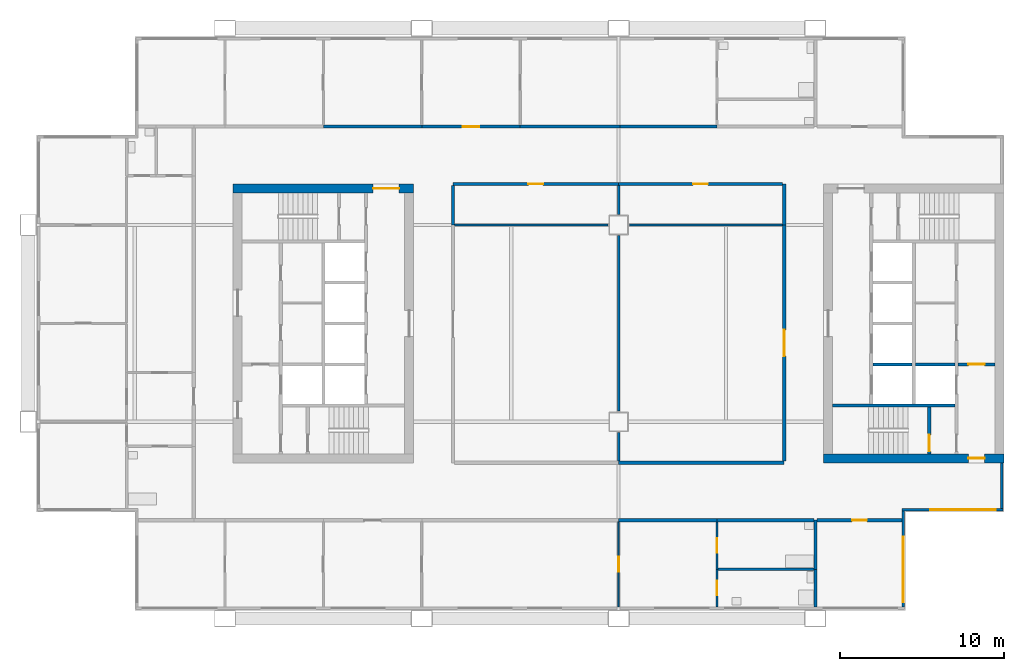
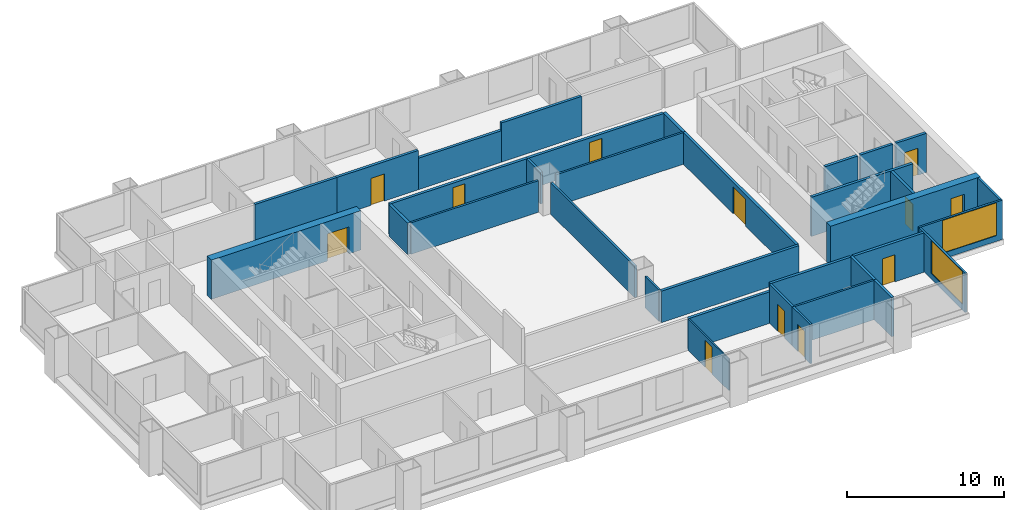
# One storey, part 4 of 8: 34 walls, 12 doors, 2 windows, 14 openings.
"""IFC4 building model written with IfcOpenShell, lengths in metres."""

from ifc_helpers import new_model, si_unit, direction, frame, frame_2d, origin, place, context, subcontext, project, spatial, rectangle, extrude, material, layer, layer_set, type_object, element, fill, save


model = new_model("IFC4")

# Units and contexts
model_context = context("Model", 3, precision=1e-05, world=origin(), true_north=direction((0.0, 1.0)))
body_context = subcontext(model_context, "Body", "Model", "MODEL_VIEW")
ifc_project = project(units=[si_unit("LENGTHUNIT", "METRE"), si_unit("AREAUNIT", "SQUARE_METRE"), si_unit("VOLUMEUNIT", "CUBIC_METRE"), si_unit("PLANEANGLEUNIT", "RADIAN"), si_unit("MASSUNIT", "GRAM", prefix="KILO")], contexts=[model_context])

# Site, building, storey
site_placement = place(None, origin())
site = spatial("IfcSite", under=ifc_project, at=site_placement, CompositionType="ELEMENT")
building_placement = place(site_placement, origin())
building = spatial("IfcBuilding", under=site, at=building_placement, Name="Kitamizu Gate Tower and Museum", CompositionType="ELEMENT")
storey_placement = place(building_placement, frame((0.0, 0.0, 172.050048828125)))
storey = spatial("IfcBuildingStorey", under=building, at=storey_placement, Name="L45", CompositionType="ELEMENT", Elevation=172.050048828125)

# Wall, opening, door
ifc_material_1 = material(Name="Concrete Fc42", Category="concrete")
ifc_layer_1 = layer(ifc_material_1, 0.550048828125)
ifc_layer_set_1 = layer_set([ifc_layer_1], Name="Concrete Fc42")
wall_type_1 = type_object("IfcWallType", Name="Core wall 550", PredefinedType="SHEAR", material=ifc_layer_set_1)
wall_1_placement = place(storey_placement, frame((12.5, 38.22509765625, 0.0), z_axis=(0.0, 0.0, 1.0), x_axis=(1.0, 0.0, 0.0)))
wall_1 = element("IfcWall", 1, at=wall_1_placement, inside=storey, type_object=wall_type_1, Name="Core wall WN", PredefinedType="SHEAR", context=body_context, shape_type="SweptSolid", body=[
    extrude(rectangle(XDim=11.0, YDim=0.550048828125, at=frame_2d((5.5, 0.0))), origin(), (0.0, 0.0, 1.0), 3.050048828125),
])
opening_1_placement = place(wall_1_placement, frame((8.52490234375, 0.0, 0.0)))
opening_1 = element("IfcOpeningElement", 2, at=opening_1_placement, cuts=wall_1, Name="Opening L45-037", PredefinedType="OPENING", context=body_context, shape_type="SweptSolid", body=[
    extrude(rectangle(XDim=1.60009765625, YDim=2.10009765625, at=frame_2d((0.800048828125, 1.050048828125))), frame((0.0, 0.28515625, 0.0), z_axis=(0.0, -1.0, 0.0), x_axis=(1.0, 0.0, 0.0)), (0.0, 0.0, 1.0), 0.570068359375),
])
ifc_material_2 = material(Name="Timber door set", Category="wood")
door_type_1 = type_object("IfcDoorType", Name="Entrance door 1600", OperationType="DOUBLE_DOOR_SINGLE_SWING", PredefinedType="DOOR", material=ifc_material_2)
door_1_placement = place(opening_1_placement, origin())
door_1 = element("IfcDoor", 3, at=door_1_placement, inside=storey, type_object=door_type_1, Name="Lobby door L45-037", OperationType="DOUBLE_DOOR_SINGLE_SWING", OverallHeight=2.10009765625, OverallWidth=1.60009765625, PredefinedType="DOOR", context=body_context, shape_type="SweptSolid", body=[
    extrude(rectangle(XDim=1.60009765625, YDim=2.10009765625, at=frame_2d((0.800048828125, 1.050048828125))), frame((0.0, 0.02490234375, 0.0), z_axis=(0.0, -1.0, 0.0), x_axis=(1.0, 0.0, 0.0)), (0.0, 0.0, 1.0), 0.050048828125),
])
fill(opening_1, door_1)

wall_2_placement = place(storey_placement, frame((59.5, 21.77490234375, 0.0), z_axis=(0.0, 0.0, 1.0), x_axis=(-1.0, 0.0, 0.0)))
wall_2 = element("IfcWall", 4, at=wall_2_placement, inside=storey, type_object=wall_type_1, Name="Core wall ES", PredefinedType="SHEAR", context=body_context, shape_type="SweptSolid", body=[
    extrude(rectangle(XDim=11.0, YDim=0.550048828125, at=frame_2d((5.5, 0.0))), origin(), (0.0, 0.0, 1.0), 3.050048828125),
])
opening_2_placement = place(wall_2_placement, frame((1.175048828125, 0.0, 0.0)))
opening_2 = element("IfcOpeningElement", 5, at=opening_2_placement, cuts=wall_2, Name="Opening L45-046", PredefinedType="OPENING", context=body_context, shape_type="SweptSolid", body=[
    extrude(rectangle(XDim=1.0, YDim=2.10009765625, at=frame_2d((0.5, 1.050048828125))), frame((0.0, 0.28515625, 0.0), z_axis=(0.0, -1.0, 0.0), x_axis=(1.0, 0.0, 0.0)), (0.0, 0.0, 1.0), 0.570068359375),
])
ifc_material_3 = material(Name="Hollow metal door set")
door_type_2 = type_object("IfcDoorType", Name="Fire door 1000", OperationType="NOTDEFINED", PredefinedType="DOOR", material=ifc_material_3)
door_2_placement = place(opening_2_placement, frame((1.0, 0.0, 0.0), x_axis=(-1.0, 0.0, 0.0)))
door_2 = element("IfcDoor", 6, at=door_2_placement, inside=storey, type_object=door_type_2, Name="Fire-fighting lobby door L45-046", OperationType="SINGLE_SWING_RIGHT", OverallHeight=2.10009765625, OverallWidth=1.0, PredefinedType="DOOR", context=body_context, shape_type="SweptSolid", body=[
    extrude(rectangle(XDim=1.0, YDim=2.10009765625, at=frame_2d((0.5, 1.050048828125))), frame((0.0, 0.02490234375, 0.0), z_axis=(0.0, -1.0, 0.0), x_axis=(1.0, 0.0, 0.0)), (0.0, 0.0, 1.0), 0.050048828125),
])
fill(opening_2, door_2)

ifc_material_4 = material(Name="Gypsum board on galvanised stud")
ifc_layer_2 = layer(ifc_material_4, 0.10009765625)
ifc_layer_set_2 = layer_set([ifc_layer_2], Name="Gypsum board on galvanised stud")
wall_type_2 = type_object("IfcWallType", Name="Partition 100 NOT RATED", PredefinedType="PARTITIONING", material=ifc_layer_set_2)
wall_3_placement = place(storey_placement, frame((36.0, 12.719970703125, 0.0), z_axis=(0.0, 0.0, 1.0), x_axis=(0.0, 1.0, 0.0)))
wall_3 = element("IfcWall", 7, at=wall_3_placement, inside=storey, type_object=wall_type_2, Name="Partition L45-008", PredefinedType="PARTITIONING", context=body_context, shape_type="SweptSolid", body=[
    extrude(rectangle(XDim=5.179931640625, YDim=0.10009765625, at=frame_2d((2.58984375, 0.0))), origin(), (0.0, 0.0, 1.0), 2.449951171875),
])
opening_3_placement = place(wall_3_placement, frame((2.139892578125, 0.0, 0.0)))
opening_3 = element("IfcOpeningElement", 8, at=opening_3_placement, cuts=wall_3, Name="Opening L45-004", PredefinedType="OPENING", context=body_context, shape_type="SweptSolid", body=[
    extrude(rectangle(XDim=0.89990234375, YDim=2.10009765625, at=frame_2d((0.449951171875, 1.050048828125))), frame((0.0, 0.06005859375, 0.0), z_axis=(0.0, -1.0, 0.0), x_axis=(1.0, 0.0, 0.0)), (0.0, 0.0, 1.0), 0.1201171875),
])
ifc_material_5 = material(Name="Timber door set", Category="wood")
door_type_3 = type_object("IfcDoorType", Name="Room door 900", OperationType="NOTDEFINED", PredefinedType="DOOR", material=ifc_material_5)
door_3_placement = place(opening_3_placement, frame((0.89990234375, 0.0, 0.0), x_axis=(-1.0, 0.0, 0.0)))
door_3 = element("IfcDoor", 9, at=door_3_placement, inside=storey, type_object=door_type_3, Name="Door L45-004", OperationType="SINGLE_SWING_RIGHT", OverallHeight=2.10009765625, OverallWidth=0.89990234375, PredefinedType="DOOR", context=body_context, shape_type="SweptSolid", body=[
    extrude(rectangle(XDim=0.89990234375, YDim=2.10009765625, at=frame_2d((0.449951171875, 1.050048828125))), frame((0.0, 0.02490234375, 0.0), z_axis=(0.0, -1.0, 0.0), x_axis=(1.0, 0.0, 0.0)), (0.0, 0.0, 1.0), 0.050048828125),
])
fill(opening_3, door_3)

ifc_material_6 = material(Name="Gypsum board on galvanised stud")
ifc_layer_3 = layer(ifc_material_6, 0.14990234375)
ifc_layer_set_3 = layer_set([ifc_layer_3], Name="Gypsum board on galvanised stud")
wall_type_3 = type_object("IfcWallType", Name="Partition 150", PredefinedType="PARTITIONING", material=ifc_layer_set_3)
wall_4_placement = place(storey_placement, frame((42.0, 12.719970703125, 0.0), z_axis=(0.0, 0.0, 1.0), x_axis=(0.0, 1.0, 0.0)))
wall_4 = element("IfcWall", 10, at=wall_4_placement, inside=storey, type_object=wall_type_3, Name="Partition L45-010", PredefinedType="PARTITIONING", context=body_context, shape_type="SweptSolid", body=[
    extrude(rectangle(XDim=2.280029296875, YDim=0.14990234375, at=frame_2d((1.14013671875, 0.0))), origin(), (0.0, 0.0, 1.0), 3.050048828125),
])
opening_4_placement = place(wall_4_placement, frame((0.68994140625, 0.0, 0.0)))
opening_4 = element("IfcOpeningElement", 11, at=opening_4_placement, cuts=wall_4, Name="Opening L45-005", PredefinedType="OPENING", context=body_context, shape_type="SweptSolid", body=[
    extrude(rectangle(XDim=0.89990234375, YDim=2.10009765625, at=frame_2d((0.449951171875, 1.050048828125))), frame((0.0, 0.0849609375, 0.0), z_axis=(0.0, -1.0, 0.0), x_axis=(1.0, 0.0, 0.0)), (0.0, 0.0, 1.0), 0.169921875),
])
ifc_material_7 = material(Name="Timber door set", Category="wood")
door_type_4 = type_object("IfcDoorType", Name="Bathroom door 900", OperationType="NOTDEFINED", PredefinedType="DOOR", material=ifc_material_7)
door_4_placement = place(opening_4_placement, frame((0.89990234375, 0.0, 0.0), x_axis=(-1.0, 0.0, 0.0)))
door_4 = element("IfcDoor", 12, at=door_4_placement, inside=storey, type_object=door_type_4, Name="Bathroom door L45-005", OperationType="SINGLE_SWING_LEFT", OverallHeight=2.10009765625, OverallWidth=0.89990234375, PredefinedType="DOOR", context=body_context, shape_type="SweptSolid", body=[
    extrude(rectangle(XDim=0.89990234375, YDim=2.10009765625, at=frame_2d((0.449951171875, 1.050048828125))), frame((0.0, 0.02490234375, 0.0), z_axis=(0.0, -1.0, 0.0), x_axis=(1.0, 0.0, 0.0)), (0.0, 0.0, 1.0), 0.050048828125),
])
fill(opening_4, door_4)

wall_5_placement = place(storey_placement, frame((42.0, 15.0, 0.0), z_axis=(0.0, 0.0, 1.0), x_axis=(0.0, 1.0, 0.0)))
wall_5 = element("IfcWall", 13, at=wall_5_placement, inside=storey, type_object=wall_type_3, Name="Partition L45-011", PredefinedType="PARTITIONING", context=body_context, shape_type="SweptSolid", body=[
    extrude(rectangle(XDim=2.89990234375, YDim=0.14990234375, at=frame_2d((1.449951171875, 0.0))), origin(), (0.0, 0.0, 1.0), 3.050048828125),
])
opening_5_placement = place(wall_5_placement, frame((1.0, 0.0, 0.0)))
opening_5 = element("IfcOpeningElement", 14, at=opening_5_placement, cuts=wall_5, Name="Opening L45-007", PredefinedType="OPENING", context=body_context, shape_type="SweptSolid", body=[
    extrude(rectangle(XDim=0.89990234375, YDim=2.10009765625, at=frame_2d((0.449951171875, 1.050048828125))), frame((0.0, 0.0849609375, 0.0), z_axis=(0.0, -1.0, 0.0), x_axis=(1.0, 0.0, 0.0)), (0.0, 0.0, 1.0), 0.169921875),
])
door_5_placement = place(opening_5_placement, frame((0.89990234375, 0.0, 0.0), x_axis=(-1.0, 0.0, 0.0)))
door_5 = element("IfcDoor", 15, at=door_5_placement, inside=storey, type_object=door_type_4, Name="Bathroom door L45-007", OperationType="SINGLE_SWING_LEFT", OverallHeight=2.10009765625, OverallWidth=0.89990234375, PredefinedType="DOOR", context=body_context, shape_type="SweptSolid", body=[
    extrude(rectangle(XDim=0.89990234375, YDim=2.10009765625, at=frame_2d((0.449951171875, 1.050048828125))), frame((0.0, 0.02490234375, 0.0), z_axis=(0.0, -1.0, 0.0), x_axis=(1.0, 0.0, 0.0)), (0.0, 0.0, 1.0), 0.050048828125),
])
fill(opening_5, door_5)

# Walls
wall_6_placement = place(storey_placement, frame((47.89990234375, 15.0, 0.0), z_axis=(0.0, 0.0, 1.0), x_axis=(-1.0, 0.0, 0.0)))
element("IfcWall", 16, at=wall_6_placement, inside=storey, type_object=wall_type_3, Name="Partition L45-013", PredefinedType="PARTITIONING", context=body_context, shape_type="SweptSolid", body=[
    extrude(rectangle(XDim=5.824951171875, YDim=0.14990234375, at=frame_2d((2.91259765625, 0.0))), origin(), (0.0, 0.0, 1.0), 3.050048828125),
])
wall_7_placement = place(storey_placement, frame((36.0, 21.60009765625, 0.0), z_axis=(0.0, 0.0, 1.0), x_axis=(0.0, 1.0, 0.0)))
element("IfcWall", 17, at=wall_7_placement, inside=storey, type_object=wall_type_3, Name="Partition L45-067", PredefinedType="PARTITIONING", context=body_context, shape_type="SweptSolid", body=[
    extrude(rectangle(XDim=1.75, YDim=0.14990234375, at=frame_2d((0.875, 0.0))), origin(), (0.0, 0.0, 1.0), 2.449951171875),
])
wall_8_placement = place(storey_placement, frame((36.0, 24.64990234375, 0.0), z_axis=(0.0, 0.0, 1.0), x_axis=(0.0, 1.0, 0.0)))
element("IfcWall", 18, at=wall_8_placement, inside=storey, type_object=wall_type_3, Name="Partition L45-068", PredefinedType="PARTITIONING", context=body_context, shape_type="SweptSolid", body=[
    extrude(rectangle(XDim=10.7001953125, YDim=0.14990234375, at=frame_2d((5.35009765625, 0.0))), origin(), (0.0, 0.0, 1.0), 2.449951171875),
])
for number, where, z_axis, x_axis, name in (
    (19, (35.35009765625, 36.0, 0.0), (0.0, 0.0, 1.0), (-1.0, 0.0, 0.0), "Partition L45-069"),
    (20, (46.0, 36.0, 0.0), (0.0, 0.0, 1.0), (-1.0, 0.0, 0.0), "Partition L45-070"),
):
    element("IfcWall", number, at=place(storey_placement, frame(where, z_axis=z_axis, x_axis=x_axis)), inside=storey, type_object=wall_type_3, Name=name, PredefinedType="PARTITIONING", context=body_context, shape_type="SweptSolid", body=[
        extrude(rectangle(XDim=9.35009765625, YDim=0.14990234375, at=frame_2d((4.675048828125, 0.0))), origin(), (0.0, 0.0, 1.0), 2.449951171875),
    ])
wall_9_placement = place(storey_placement, frame((36.0, 36.64990234375, 0.0), z_axis=(0.0, 0.0, 1.0), x_axis=(0.0, 1.0, 0.0)))
element("IfcWall", 21, at=wall_9_placement, inside=storey, type_object=wall_type_3, Name="Partition L45-071", PredefinedType="PARTITIONING", context=body_context, shape_type="SweptSolid", body=[
    extrude(rectangle(XDim=1.75, YDim=0.14990234375, at=frame_2d((0.875, 0.0))), origin(), (0.0, 0.0, 1.0), 2.449951171875),
])
ifc_material_8 = material(Name="Gypsum board on galvanised stud")
ifc_layer_4 = layer(ifc_material_8, 0.199951171875)
ifc_layer_set_4 = layer_set([ifc_layer_4], Name="Gypsum board on galvanised stud")
wall_type_4 = type_object("IfcWallType", Name="Partition 200", PredefinedType="PARTITIONING", material=ifc_layer_set_4)
wall_10_placement = place(storey_placement, frame((42.0, 18.0, 0.0), z_axis=(0.0, 0.0, 1.0), x_axis=(-1.0, 0.0, 0.0)))
element("IfcWall", 22, at=wall_10_placement, inside=storey, type_object=wall_type_4, Name="Partition L45-012", PredefinedType="PARTITIONING", context=body_context, shape_type="SweptSolid", body=[
    extrude(rectangle(XDim=6.0, YDim=0.199951171875, at=frame_2d((3.0, 0.0))), origin(), (0.0, 0.0, 1.0), 2.449951171875),
])
wall_11_placement = place(storey_placement, frame((48.0, 12.719970703125, 0.0), z_axis=(0.0, 0.0, 1.0), x_axis=(0.0, 1.0, 0.0)))
element("IfcWall", 23, at=wall_11_placement, inside=storey, type_object=wall_type_4, Name="Partition L45-014", PredefinedType="PARTITIONING", context=body_context, shape_type="SweptSolid", body=[
    extrude(rectangle(XDim=2.280029296875, YDim=0.199951171875, at=frame_2d((1.14013671875, 0.0))), origin(), (0.0, 0.0, 1.0), 3.050048828125),
])
wall_12_placement = place(storey_placement, frame((48.0, 15.0, 0.0), z_axis=(0.0, 0.0, 1.0), x_axis=(0.0, 1.0, 0.0)))
element("IfcWall", 24, at=wall_12_placement, inside=storey, type_object=wall_type_4, Name="Partition L45-015", PredefinedType="PARTITIONING", context=body_context, shape_type="SweptSolid", body=[
    extrude(rectangle(XDim=3.0, YDim=0.199951171875, at=frame_2d((1.5, 0.0))), origin(), (0.0, 0.0, 1.0), 3.050048828125),
])
wall_13_placement = place(storey_placement, frame((47.89990234375, 18.0, 0.0), z_axis=(0.0, 0.0, 1.0), x_axis=(-1.0, 0.0, 0.0)))
element("IfcWall", 25, at=wall_13_placement, inside=storey, type_object=wall_type_4, Name="Partition L45-016", PredefinedType="PARTITIONING", context=body_context, shape_type="SweptSolid", body=[
    extrude(rectangle(XDim=5.89990234375, YDim=0.199951171875, at=frame_2d((2.949951171875, 0.0))), origin(), (0.0, 0.0, 1.0), 3.050048828125),
])

# Wall, opening, door
wall_14_placement = place(storey_placement, frame((53.280029296875, 18.0, 0.0), z_axis=(0.0, 0.0, 1.0), x_axis=(-1.0, 0.0, 0.0)))
wall_14 = element("IfcWall", 26, at=wall_14_placement, inside=storey, type_object=wall_type_4, Name="Partition L45-017", PredefinedType="PARTITIONING", context=body_context, shape_type="SweptSolid", body=[
    extrude(rectangle(XDim=5.179931640625, YDim=0.199951171875, at=frame_2d((2.58984375, 0.0))), origin(), (0.0, 0.0, 1.0), 3.050048828125),
])
opening_6_placement = place(wall_14_placement, frame((2.139892578125, 0.0, 0.0)))
opening_6 = element("IfcOpeningElement", 27, at=opening_6_placement, cuts=wall_14, Name="Opening L45-024", PredefinedType="OPENING", context=body_context, shape_type="SweptSolid", body=[
    extrude(rectangle(XDim=0.89990234375, YDim=2.10009765625, at=frame_2d((0.449951171875, 1.050048828125))), frame((0.0, 0.10986328125, 0.0), z_axis=(0.0, -1.0, 0.0), x_axis=(1.0, 0.0, 0.0)), (0.0, 0.0, 1.0), 0.219970703125),
])
door_6_placement = place(opening_6_placement, origin())
door_6 = element("IfcDoor", 28, at=door_6_placement, inside=storey, type_object=door_type_3, Name="Door L45-024", OperationType="SINGLE_SWING_RIGHT", OverallHeight=2.10009765625, OverallWidth=0.89990234375, PredefinedType="DOOR", context=body_context, shape_type="SweptSolid", body=[
    extrude(rectangle(XDim=0.89990234375, YDim=2.10009765625, at=frame_2d((0.449951171875, 1.050048828125))), frame((0.0, 0.02490234375, 0.0), z_axis=(0.0, -1.0, 0.0), x_axis=(1.0, 0.0, 0.0)), (0.0, 0.0, 1.0), 0.050048828125),
])
fill(opening_6, door_6)

# Wall
wall_15_placement = place(storey_placement, frame((18.0, 42.0, 0.0), z_axis=(0.0, 0.0, 1.0), x_axis=(1.0, 0.0, 0.0)))
element("IfcWall", 29, at=wall_15_placement, inside=storey, type_object=wall_type_4, Name="Partition L45-025", PredefinedType="PARTITIONING", context=body_context, shape_type="SweptSolid", body=[
    extrude(rectangle(XDim=6.0, YDim=0.199951171875, at=frame_2d((3.0, 0.0))), origin(), (0.0, 0.0, 1.0), 3.050048828125),
])

# Wall, opening, door
wall_16_placement = place(storey_placement, frame((24.0, 42.0, 0.0), z_axis=(0.0, 0.0, 1.0), x_axis=(1.0, 0.0, 0.0)))
wall_16 = element("IfcWall", 30, at=wall_16_placement, inside=storey, type_object=wall_type_4, Name="Partition L45-027", PredefinedType="PARTITIONING", context=body_context, shape_type="SweptSolid", body=[
    extrude(rectangle(XDim=6.0, YDim=0.199951171875, at=frame_2d((3.0, 0.0))), origin(), (0.0, 0.0, 1.0), 3.050048828125),
])
opening_7_placement = place(wall_16_placement, frame((2.5, 0.0, 0.0)))
opening_7 = element("IfcOpeningElement", 31, at=opening_7_placement, cuts=wall_16, Name="Opening L45-008", PredefinedType="OPENING", context=body_context, shape_type="SweptSolid", body=[
    extrude(rectangle(XDim=1.0, YDim=2.10009765625, at=frame_2d((0.5, 1.050048828125))), frame((0.0, 0.10986328125, 0.0), z_axis=(0.0, -1.0, 0.0), x_axis=(1.0, 0.0, 0.0)), (0.0, 0.0, 1.0), 0.219970703125),
])
ifc_material_9 = material(Name="Timber door set", Category="wood")
door_type_5 = type_object("IfcDoorType", Name="Flat entrance door 1000", OperationType="NOTDEFINED", PredefinedType="DOOR", material=ifc_material_9)
door_7_placement = place(opening_7_placement, origin())
door_7 = element("IfcDoor", 32, at=door_7_placement, inside=storey, type_object=door_type_5, Name="Flat entrance door L45-008", OperationType="SINGLE_SWING_LEFT", OverallHeight=2.10009765625, OverallWidth=1.0, PredefinedType="DOOR", context=body_context, shape_type="SweptSolid", body=[
    extrude(rectangle(XDim=1.0, YDim=2.10009765625, at=frame_2d((0.5, 1.050048828125))), frame((0.0, 0.02490234375, 0.0), z_axis=(0.0, -1.0, 0.0), x_axis=(1.0, 0.0, 0.0)), (0.0, 0.0, 1.0), 0.050048828125),
])
fill(opening_7, door_7)

# Walls
wall_17_placement = place(storey_placement, frame((30.0, 42.0, 0.0), z_axis=(0.0, 0.0, 1.0), x_axis=(1.0, 0.0, 0.0)))
element("IfcWall", 33, at=wall_17_placement, inside=storey, type_object=wall_type_4, Name="Partition L45-030", PredefinedType="PARTITIONING", context=body_context, shape_type="SweptSolid", body=[
    extrude(rectangle(XDim=6.10009765625, YDim=0.199951171875, at=frame_2d((3.050048828125, 0.0))), origin(), (0.0, 0.0, 1.0), 2.449951171875),
])
wall_18_placement = place(storey_placement, frame((36.10009765625, 42.0, 0.0), z_axis=(0.0, 0.0, 1.0), x_axis=(1.0, 0.0, 0.0)))
element("IfcWall", 34, at=wall_18_placement, inside=storey, type_object=wall_type_4, Name="Partition L45-031", PredefinedType="PARTITIONING", context=body_context, shape_type="SweptSolid", body=[
    extrude(rectangle(XDim=5.89990234375, YDim=0.199951171875, at=frame_2d((2.949951171875, 0.0))), origin(), (0.0, 0.0, 1.0), 3.050048828125),
])
wall_19_placement = place(storey_placement, frame((36.0, 21.5, 0.0), z_axis=(0.0, 0.0, 1.0), x_axis=(1.0, 0.0, 0.0)))
element("IfcWall", 35, at=wall_19_placement, inside=storey, type_object=wall_type_4, Name="Partition L45-061", PredefinedType="PARTITIONING", context=body_context, shape_type="SweptSolid", body=[
    extrude(rectangle(XDim=10.10009765625, YDim=0.199951171875, at=frame_2d((5.050048828125, 0.0))), origin(), (0.0, 0.0, 1.0), 2.449951171875),
])

# Wall, opening, door
wall_20_placement = place(storey_placement, frame((46.10009765625, 21.60009765625, 0.0), z_axis=(0.0, 0.0, 1.0), x_axis=(0.0, 1.0, 0.0)))
wall_20 = element("IfcWall", 36, at=wall_20_placement, inside=storey, type_object=wall_type_4, Name="Partition L45-062", PredefinedType="PARTITIONING", context=body_context, shape_type="SweptSolid", body=[
    extrude(rectangle(XDim=14.39990234375, YDim=0.199951171875, at=frame_2d((7.199951171875, 0.0))), origin(), (0.0, 0.0, 1.0), 2.449951171875),
])
opening_8_placement = place(wall_20_placement, frame((6.39990234375, 0.0, 0.0)))
opening_8 = element("IfcOpeningElement", 37, at=opening_8_placement, cuts=wall_20, Name="Opening L45-027", PredefinedType="OPENING", context=body_context, shape_type="SweptSolid", body=[
    extrude(rectangle(XDim=1.60009765625, YDim=2.10009765625, at=frame_2d((0.800048828125, 1.050048828125))), frame((0.0, 0.10986328125, 0.0), z_axis=(0.0, -1.0, 0.0), x_axis=(1.0, 0.0, 0.0)), (0.0, 0.0, 1.0), 0.219970703125),
])
ifc_material_10 = material(Name="Timber door set", Category="wood")
door_type_6 = type_object("IfcDoorType", Name="Double door 1600", OperationType="DOUBLE_DOOR_SINGLE_SWING", PredefinedType="DOOR", material=ifc_material_10)
door_8_placement = place(opening_8_placement, origin())
door_8 = element("IfcDoor", 38, at=door_8_placement, inside=storey, type_object=door_type_6, Name="Double door L45-027", OperationType="DOUBLE_DOOR_SINGLE_SWING", OverallHeight=2.10009765625, OverallWidth=1.60009765625, PredefinedType="DOOR", context=body_context, shape_type="SweptSolid", body=[
    extrude(rectangle(XDim=1.60009765625, YDim=2.10009765625, at=frame_2d((0.800048828125, 1.050048828125))), frame((0.0, 0.02490234375, 0.0), z_axis=(0.0, -1.0, 0.0), x_axis=(1.0, 0.0, 0.0)), (0.0, 0.0, 1.0), 0.050048828125),
])
fill(opening_8, door_8)

wall_21_placement = place(storey_placement, frame((36.0, 38.5, 0.0), z_axis=(0.0, 0.0, 1.0), x_axis=(-1.0, 0.0, 0.0)))
wall_21 = element("IfcWall", 39, at=wall_21_placement, inside=storey, type_object=wall_type_4, Name="Partition L45-063", PredefinedType="PARTITIONING", context=body_context, shape_type="SweptSolid", body=[
    extrude(rectangle(XDim=10.10009765625, YDim=0.199951171875, at=frame_2d((5.050048828125, 0.0))), origin(), (0.0, 0.0, 1.0), 2.449951171875),
])
opening_9_placement = place(wall_21_placement, frame((4.60009765625, 0.0, 0.0)))
opening_9 = element("IfcOpeningElement", 40, at=opening_9_placement, cuts=wall_21, Name="Opening L45-028", PredefinedType="OPENING", context=body_context, shape_type="SweptSolid", body=[
    extrude(rectangle(XDim=0.89990234375, YDim=2.10009765625, at=frame_2d((0.449951171875, 1.050048828125))), frame((0.0, 0.10986328125, 0.0), z_axis=(0.0, -1.0, 0.0), x_axis=(1.0, 0.0, 0.0)), (0.0, 0.0, 1.0), 0.219970703125),
])
door_9_placement = place(opening_9_placement, origin())
door_9 = element("IfcDoor", 41, at=door_9_placement, inside=storey, type_object=door_type_3, Name="Door L45-028", OperationType="SINGLE_SWING_RIGHT", OverallHeight=2.10009765625, OverallWidth=0.89990234375, PredefinedType="DOOR", context=body_context, shape_type="SweptSolid", body=[
    extrude(rectangle(XDim=0.89990234375, YDim=2.10009765625, at=frame_2d((0.449951171875, 1.050048828125))), frame((0.0, 0.02490234375, 0.0), z_axis=(0.0, -1.0, 0.0), x_axis=(1.0, 0.0, 0.0)), (0.0, 0.0, 1.0), 0.050048828125),
])
fill(opening_9, door_9)

# Walls
wall_22_placement = place(storey_placement, frame((25.89990234375, 38.39990234375, 0.0), z_axis=(0.0, 0.0, 1.0), x_axis=(0.0, -1.0, 0.0)))
element("IfcWall", 42, at=wall_22_placement, inside=storey, type_object=wall_type_4, Name="Partition L45-064", PredefinedType="PARTITIONING", context=body_context, shape_type="SweptSolid", body=[
    extrude(rectangle(XDim=2.39990234375, YDim=0.199951171875, at=frame_2d((1.199951171875, 0.0))), origin(), (0.0, 0.0, 1.0), 2.449951171875),
])
wall_23_placement = place(storey_placement, frame((46.10009765625, 36.0, 0.0), z_axis=(0.0, 0.0, 1.0), x_axis=(0.0, 1.0, 0.0)))
element("IfcWall", 43, at=wall_23_placement, inside=storey, type_object=wall_type_4, Name="Partition L45-065", PredefinedType="PARTITIONING", context=body_context, shape_type="SweptSolid", body=[
    extrude(rectangle(XDim=2.5, YDim=0.199951171875, at=frame_2d((1.25, 0.0))), origin(), (0.0, 0.0, 1.0), 2.449951171875),
])

# Wall, opening, door
wall_24_placement = place(storey_placement, frame((46.0, 38.5, 0.0), z_axis=(0.0, 0.0, 1.0), x_axis=(-1.0, 0.0, 0.0)))
wall_24 = element("IfcWall", 44, at=wall_24_placement, inside=storey, type_object=wall_type_4, Name="Partition L45-066", PredefinedType="PARTITIONING", context=body_context, shape_type="SweptSolid", body=[
    extrude(rectangle(XDim=10.0, YDim=0.199951171875, at=frame_2d((5.0, 0.0))), origin(), (0.0, 0.0, 1.0), 2.449951171875),
])
opening_10_placement = place(wall_24_placement, frame((4.550048828125, 0.0, 0.0)))
opening_10 = element("IfcOpeningElement", 45, at=opening_10_placement, cuts=wall_24, Name="Opening L45-029", PredefinedType="OPENING", context=body_context, shape_type="SweptSolid", body=[
    extrude(rectangle(XDim=0.89990234375, YDim=2.10009765625, at=frame_2d((0.449951171875, 1.050048828125))), frame((0.0, 0.10986328125, 0.0), z_axis=(0.0, -1.0, 0.0), x_axis=(1.0, 0.0, 0.0)), (0.0, 0.0, 1.0), 0.219970703125),
])
door_10_placement = place(opening_10_placement, origin())
door_10 = element("IfcDoor", 46, at=door_10_placement, inside=storey, type_object=door_type_3, Name="Door L45-029", OperationType="SINGLE_SWING_LEFT", OverallHeight=2.10009765625, OverallWidth=0.89990234375, PredefinedType="DOOR", context=body_context, shape_type="SweptSolid", body=[
    extrude(rectangle(XDim=0.89990234375, YDim=2.10009765625, at=frame_2d((0.449951171875, 1.050048828125))), frame((0.0, 0.02490234375, 0.0), z_axis=(0.0, -1.0, 0.0), x_axis=(1.0, 0.0, 0.0)), (0.0, 0.0, 1.0), 0.050048828125),
])
fill(opening_10, door_10)

# Wall
ifc_material_11 = material(Name="Concrete Fc42", Category="concrete")
ifc_layer_5 = layer(ifc_material_11, 0.199951171875)
ifc_layer_set_5 = layer_set([ifc_layer_5], Name="Concrete Fc42")
wall_type_5 = type_object("IfcWallType", Name="Shaft wall 200", PredefinedType="SOLIDWALL", material=ifc_layer_set_5)
wall_25_placement = place(storey_placement, frame((56.5, 25.0, 0.0), z_axis=(0.0, 0.0, 1.0), x_axis=(-1.0, 0.0, 0.0)))
element("IfcWall", 47, at=wall_25_placement, inside=storey, type_object=wall_type_5, Name="Shaft wall ESB", PredefinedType="SOLIDWALL", context=body_context, shape_type="SweptSolid", body=[
    extrude(rectangle(XDim=7.449951171875, YDim=0.199951171875, at=frame_2d((3.72509765625, 0.0))), origin(), (0.0, 0.0, 1.0), 3.050048828125),
])

# Wall, opening, door
wall_26_placement = place(storey_placement, frame((58.949951171875, 27.5, 0.0), z_axis=(0.0, 0.0, 1.0), x_axis=(-1.0, 0.0, 0.0)))
wall_26 = element("IfcWall", 48, at=wall_26_placement, inside=storey, type_object=wall_type_5, Name="Shaft wall EFFN", PredefinedType="SOLIDWALL", context=body_context, shape_type="SweptSolid", body=[
    extrude(rectangle(XDim=2.25, YDim=0.199951171875, at=frame_2d((1.125, 0.0))), origin(), (0.0, 0.0, 1.0), 3.050048828125),
])
opening_11_placement = place(wall_26_placement, frame((0.625, 0.0, 0.0)))
opening_11 = element("IfcOpeningElement", 49, at=opening_11_placement, cuts=wall_26, Name="Opening L45-045", PredefinedType="OPENING", context=body_context, shape_type="SweptSolid", body=[
    extrude(rectangle(XDim=1.0, YDim=2.10009765625, at=frame_2d((0.5, 1.050048828125))), frame((0.0, 0.10986328125, 0.0), z_axis=(0.0, -1.0, 0.0), x_axis=(1.0, 0.0, 0.0)), (0.0, 0.0, 1.0), 0.219970703125),
])
door_11_placement = place(opening_11_placement, origin())
door_11 = element("IfcDoor", 50, at=door_11_placement, inside=storey, type_object=door_type_2, Name="Fire-fighting lobby door L45-045", OperationType="SINGLE_SWING_RIGHT", OverallHeight=2.10009765625, OverallWidth=1.0, PredefinedType="DOOR", context=body_context, shape_type="SweptSolid", body=[
    extrude(rectangle(XDim=1.0, YDim=2.10009765625, at=frame_2d((0.5, 1.050048828125))), frame((0.0, 0.02490234375, 0.0), z_axis=(0.0, -1.0, 0.0), x_axis=(1.0, 0.0, 0.0)), (0.0, 0.0, 1.0), 0.050048828125),
])
fill(opening_11, door_11)

wall_27_placement = place(storey_placement, frame((54.949951171875, 22.050048828125, 0.0), z_axis=(0.0, 0.0, 1.0), x_axis=(0.0, 1.0, 0.0)))
wall_27 = element("IfcWall", 51, at=wall_27_placement, inside=storey, type_object=wall_type_5, Name="Shaft wall ESZ", PredefinedType="SOLIDWALL", context=body_context, shape_type="SweptSolid", body=[
    extrude(rectangle(XDim=2.849853515625, YDim=0.199951171875, at=frame_2d((1.4248046875, 0.0))), origin(), (0.0, 0.0, 1.0), 3.050048828125),
])
opening_12_placement = place(wall_27_placement, frame((0.14990234375, 0.0, 0.0)))
opening_12 = element("IfcOpeningElement", 52, at=opening_12_placement, cuts=wall_27, Name="Opening L45-041", PredefinedType="OPENING", context=body_context, shape_type="SweptSolid", body=[
    extrude(rectangle(XDim=1.0, YDim=2.10009765625, at=frame_2d((0.5, 1.050048828125))), frame((0.0, 0.10986328125, 0.0), z_axis=(0.0, -1.0, 0.0), x_axis=(1.0, 0.0, 0.0)), (0.0, 0.0, 1.0), 0.219970703125),
])
door_12_placement = place(opening_12_placement, origin())
door_12 = element("IfcDoor", 53, at=door_12_placement, inside=storey, type_object=door_type_2, Name="Stair door L45-041", OperationType="SINGLE_SWING_RIGHT", OverallHeight=2.10009765625, OverallWidth=1.0, PredefinedType="DOOR", context=body_context, shape_type="SweptSolid", body=[
    extrude(rectangle(XDim=1.0, YDim=2.10009765625, at=frame_2d((0.5, 1.050048828125))), frame((0.0, 0.02490234375, 0.0), z_axis=(0.0, -1.0, 0.0), x_axis=(1.0, 0.0, 0.0)), (0.0, 0.0, 1.0), 0.050048828125),
])
fill(opening_12, door_12)

# Walls
for number, where, z_axis, x_axis, name in (
    (54, (56.5, 27.5, 0.0), (0.0, 0.0, 1.0), (-1.0, 0.0, 0.0), "Shaft wall EDVW0"),
    (55, (53.89990234375, 27.5, 0.0), (0.0, 0.0, 1.0), (-1.0, 0.0, 0.0), "Shaft wall EDVE0"),
):
    element("IfcWall", number, at=place(storey_placement, frame(where, z_axis=z_axis, x_axis=x_axis)), inside=storey, type_object=wall_type_5, Name=name, PredefinedType="SOLIDWALL", context=body_context, shape_type="SweptSolid", body=[
        extrude(rectangle(XDim=2.39990234375, YDim=0.199951171875, at=frame_2d((1.199951171875, 0.0))), origin(), (0.0, 0.0, 1.0), 3.050048828125),
    ])

# Wall, opening, window
ifc_material_12 = material(Name="Bronze anodised aluminium frame with insulated spandrel and tinted glass", Category="aluminium")
ifc_layer_6 = layer(ifc_material_12, 0.14990234375)
ifc_layer_set_6 = layer_set([ifc_layer_6], Name="Bronze anodised aluminium frame with insulated spandrel and tinted glass")
wall_type_6 = type_object("IfcWallType", Name="WINDOW WALL 150 BRONZE FRAME EI 30", PredefinedType="ELEMENTEDWALL", material=ifc_layer_set_6)
wall_28_placement = place(storey_placement, frame((53.364990234375, 12.7099609375, 0.0), z_axis=(0.0, 0.0, 1.0), x_axis=(0.0, 1.0, 0.0)))
wall_28 = element("IfcWall", 56, at=wall_28_placement, inside=storey, type_object=wall_type_6, Name="Window wall east L45", PredefinedType="ELEMENTEDWALL", context=body_context, shape_type="SweptSolid", body=[
    extrude(rectangle(XDim=5.85009765625, YDim=0.14990234375, at=frame_2d((2.925048828125, 0.0))), origin(), (0.0, 0.0, 1.0), 3.050048828125),
])
opening_13_placement = place(wall_28_placement, frame((0.2900390625, 0.0, 0.449951171875)))
opening_13 = element("IfcOpeningElement", 57, at=opening_13_placement, cuts=wall_28, Name="Opening W16", PredefinedType="OPENING", context=body_context, shape_type="SweptSolid", body=[
    extrude(rectangle(XDim=4.0, YDim=2.550048828125, at=frame_2d((2.0, 1.27490234375))), frame((0.0, 0.0849609375, 0.0), z_axis=(0.0, -1.0, 0.0), x_axis=(1.0, 0.0, 0.0)), (0.0, 0.0, 1.0), 0.169921875),
])
ifc_material_13 = material(Name="Bronze anodised aluminium frame, tinted triple glazing", Category="aluminium")
window_type = type_object("IfcWindowType", Name="WINDOW 4000 x 2550 SILL 450", PartitioningType="SINGLE_PANEL", PredefinedType="WINDOW", material=ifc_material_13)
window_1_placement = place(opening_13_placement, origin())
window_1 = element("IfcWindow", 58, at=window_1_placement, inside=storey, type_object=window_type, Name="Window W16 L45", OverallHeight=2.550048828125, OverallWidth=4.0, PartitioningType="SINGLE_PANEL", PredefinedType="WINDOW", context=body_context, shape_type="SweptSolid", body=[
    extrude(rectangle(XDim=4.0, YDim=2.550048828125, at=frame_2d((2.0, 1.27490234375))), frame((0.0, 0.030029296875, 0.0), z_axis=(0.0, -1.0, 0.0), x_axis=(1.0, 0.0, 0.0)), (0.0, 0.0, 1.0), 0.06005859375),
])
fill(opening_13, window_1)

wall_29_placement = place(storey_placement, frame((53.2900390625, 18.635009765625, 0.0), z_axis=(0.0, 0.0, 1.0), x_axis=(1.0, 0.0, 0.0)))
wall_29 = element("IfcWall", 59, at=wall_29_placement, inside=storey, type_object=wall_type_6, Name="Window wall south L45", PredefinedType="ELEMENTEDWALL", context=body_context, shape_type="SweptSolid", body=[
    extrude(rectangle(XDim=6.14990234375, YDim=0.14990234375, at=frame_2d((3.074951171875, 0.0))), origin(), (0.0, 0.0, 1.0), 3.050048828125),
])
opening_14_placement = place(wall_29_placement, frame((1.7099609375, 0.0, 0.449951171875)))
opening_14 = element("IfcOpeningElement", 60, at=opening_14_placement, cuts=wall_29, Name="Opening W16", PredefinedType="OPENING", context=body_context, shape_type="SweptSolid", body=[
    extrude(rectangle(XDim=4.0, YDim=2.550048828125, at=frame_2d((2.0, 1.27490234375))), frame((0.0, 0.0849609375, 0.0), z_axis=(0.0, -1.0, 0.0), x_axis=(1.0, 0.0, 0.0)), (0.0, 0.0, 1.0), 0.169921875),
])
window_2_placement = place(opening_14_placement, origin())
window_2 = element("IfcWindow", 61, at=window_2_placement, inside=storey, type_object=window_type, Name="Window W16 L45", OverallHeight=2.550048828125, OverallWidth=4.0, PartitioningType="SINGLE_PANEL", PredefinedType="WINDOW", context=body_context, shape_type="SweptSolid", body=[
    extrude(rectangle(XDim=4.0, YDim=2.550048828125, at=frame_2d((2.0, 1.27490234375))), frame((0.0, 0.030029296875, 0.0), z_axis=(0.0, -1.0, 0.0), x_axis=(1.0, 0.0, 0.0)), (0.0, 0.0, 1.0), 0.06005859375),
])
fill(opening_14, window_2)

# Wall
wall_30_placement = place(storey_placement, frame((59.364990234375, 18.7099609375, 0.0), z_axis=(0.0, 0.0, 1.0), x_axis=(0.0, 1.0, 0.0)))
element("IfcWall", 62, at=wall_30_placement, inside=storey, type_object=wall_type_6, Name="Window wall east L45", PredefinedType="ELEMENTEDWALL", context=body_context, shape_type="SweptSolid", body=[
    extrude(rectangle(XDim=2.7900390625, YDim=0.14990234375, at=frame_2d((1.39501953125, 0.0))), origin(), (0.0, 0.0, 1.0), 3.050048828125),
])

save(model, "model.ifc")
